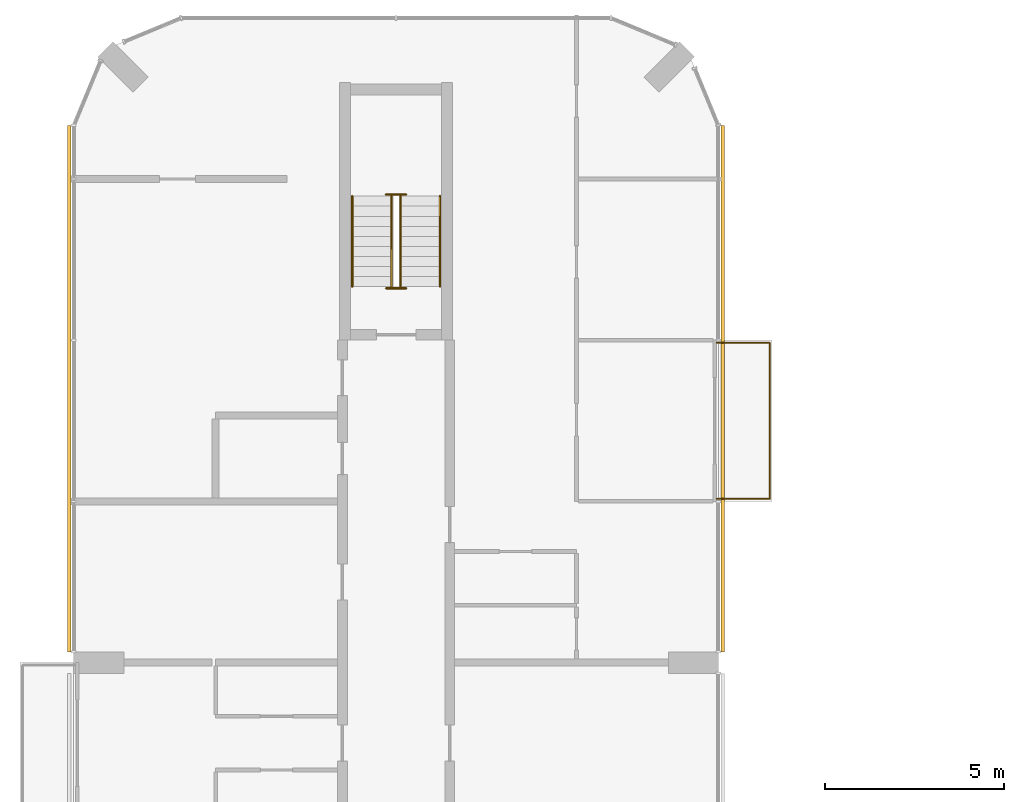
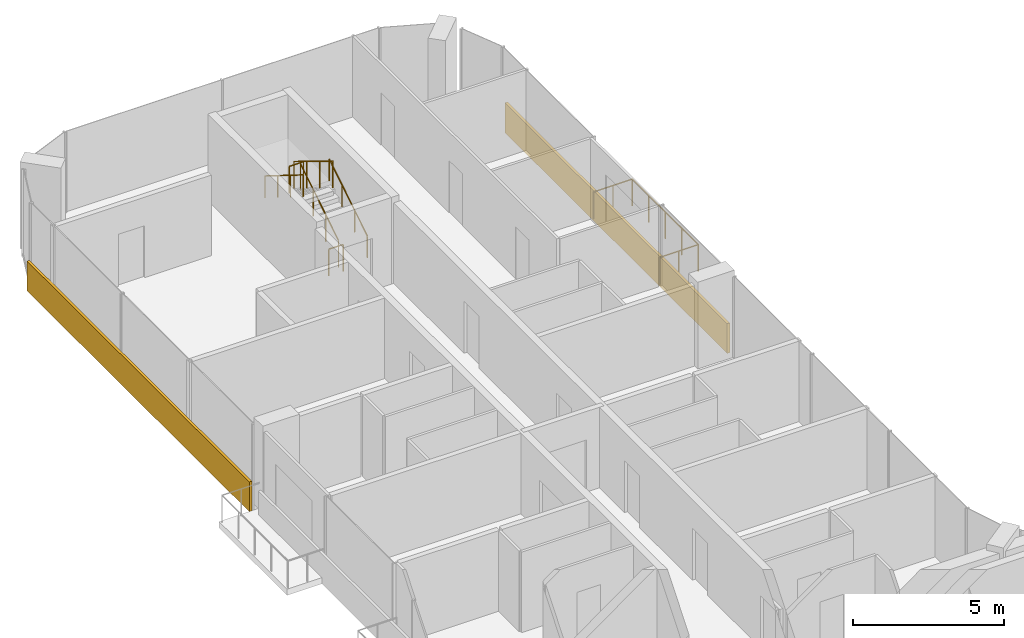
# One storey, part 16 of 16: 7 railings, 2 coverings.
"""IFC4 building model written with IfcOpenShell, lengths in metres."""

import ifcopenshell
import ifcopenshell.guid

model = None  # the IFC model being written
_history = None  # IfcOwnerHistory: only IFC2X3 demands one
_inside = {}  # id of a spatial element -> (the spatial element, [elements in it])
_under = {}  # id of a project, library or spatial element -> (it, [spatial elements below it])
_declared = {}  # id of a project -> (the project, [libraries it declares])
_typed = {}  # id of a type object -> (the type object, [elements of that type])
_made_of = {}  # id of a material, layer set ... -> (it, [elements and type objects made of it])


def new_model(schema):
    """Start an empty IFC model of exactly this schema.

    Asked for "IFC4X3", IfcOpenShell would pick the latest addendum, in which some entities
    have other attributes; the version numbers below select the first issue.
    IFC2X3 requires an IfcOwnerHistory on every rooted entity: one is made here for all.
    """
    global model, _history
    if schema == "IFC4X3":
        model = ifcopenshell.file(schema_version=(4, 3, 0, 0))
    else:
        model = ifcopenshell.file(schema=schema)
    _inside.clear()
    _under.clear()
    _declared.clear()
    _typed.clear()
    _made_of.clear()
    _history = None
    if model.schema == "IFC2X3":
        org = make("IfcOrganization", Name="unknown")
        user = make(
            "IfcPersonAndOrganization",
            ThePerson=make("IfcPerson", FamilyName="unknown"),
            TheOrganization=org,
        )
        app = make(
            "IfcApplication",
            ApplicationDeveloper=org,
            Version="unknown",
            ApplicationFullName="unknown",
            ApplicationIdentifier="unknown",
        )
        _history = make(
            "IfcOwnerHistory",
            OwningUser=user,
            OwningApplication=app,
            ChangeAction="ADDED",
            CreationDate=0,
        )
    return model


def make(cls, **values):
    """One entity of the class cls with the attributes given. An attribute that is None is left unset."""
    return model.create_entity(
        cls, **{name: value for name, value in values.items() if value is not None}
    )


def rooted(cls, **values):
    """An entity with a GlobalId (a new one), such as an element, a storey or a relation."""
    return make(cls, GlobalId=ifcopenshell.guid.new(), OwnerHistory=_history, **values)


def si_unit(unit_type, name, prefix=None):
    """IfcSIUnit, for example si_unit("LENGTHUNIT", "METRE", prefix="MILLI")."""
    return make("IfcSIUnit", UnitType=unit_type, Prefix=prefix, Name=name)


def assignment(units):
    """IfcUnitAssignment: the units of a project."""
    return None if units is None else make("IfcUnitAssignment", Units=units)


def point(xyz):
    """IfcCartesianPoint."""
    return None if xyz is None else make("IfcCartesianPoint", Coordinates=xyz)


def direction(xyz):
    """IfcDirection."""
    return None if xyz is None else make("IfcDirection", DirectionRatios=xyz)


def frame(location, z_axis=None, x_axis=None):
    """IfcAxis2Placement3D, a coordinate frame: its origin and axes. An axis left out is left unset."""
    return make(
        "IfcAxis2Placement3D",
        Location=point(location),
        Axis=direction(z_axis),
        RefDirection=direction(x_axis),
    )


def frame_2d(location, x_axis=None):
    """IfcAxis2Placement2D, a coordinate frame in the plane: its origin and x axis."""
    return make(
        "IfcAxis2Placement2D", Location=point(location), RefDirection=direction(x_axis)
    )


def origin():
    """The frame at (0, 0, 0) with its axes left unset."""
    return frame((0.0, 0.0, 0.0))


def origin_2d():
    """The frame at (0, 0) in the plane with its x axis left unset."""
    return frame_2d((0.0, 0.0))


def place(relative_to, where):
    """IfcLocalPlacement: puts the frame where relative to a parent placement (None: the world)."""
    return make(
        "IfcLocalPlacement", PlacementRelTo=relative_to, RelativePlacement=where
    )


def context(
    kind, dimensions, precision=None, world=None, true_north=None, identifier=None
):
    """IfcGeometricRepresentationContext, for example the 3D "Model" context."""
    return make(
        "IfcGeometricRepresentationContext",
        ContextIdentifier=identifier,
        ContextType=kind,
        CoordinateSpaceDimension=dimensions,
        Precision=precision,
        WorldCoordinateSystem=world,
        TrueNorth=true_north,
    )


def subcontext(parent, identifier, kind, view, scale=None):
    """IfcGeometricRepresentationSubContext, for example "Body" below "Model"."""
    return make(
        "IfcGeometricRepresentationSubContext",
        ContextIdentifier=identifier,
        ContextType=kind,
        ParentContext=parent,
        TargetScale=scale,
        TargetView=view,
    )


def project(units=None, contexts=None):
    """IfcProject with its units and contexts."""
    return rooted(
        "IfcProject",
        Name="project",
        RepresentationContexts=contexts,
        UnitsInContext=assignment(units),
    )


def spatial(cls, under=None, at=None, **own):
    """A site, building, storey or space (cls), placed at a placement, below another one or the project."""
    s = rooted(cls, ObjectPlacement=at, **own)
    if under is not None:
        _under.setdefault(under.id(), (under, []))[1].append(s)
    return s


def profile(cls, at=None, kind="AREA", **sizes):
    """A parametric profile (cls). Its sizes go by their IFC names, for example OverallWidth=200.0."""
    return make(cls, ProfileType=kind, Position=at, **sizes)


def rectangle(**sizes):
    """IfcRectangleProfileDef."""
    return profile("IfcRectangleProfileDef", **sizes)


def circle(**sizes):
    """IfcCircleProfileDef."""
    return profile("IfcCircleProfileDef", **sizes)


def extrude(swept, where, along, depth):
    """IfcExtrudedAreaSolid: the profile swept, set in the frame where, extruded along a direction by depth."""
    return make(
        "IfcExtrudedAreaSolid",
        SweptArea=swept,
        Position=where,
        ExtrudedDirection=direction(along),
        Depth=depth,
    )


def shape(context_of_items, identifier, shape_type, items):
    """IfcShapeRepresentation: the items that make up one representation, for example the "Body"."""
    return make(
        "IfcShapeRepresentation",
        ContextOfItems=context_of_items,
        RepresentationIdentifier=identifier,
        RepresentationType=shape_type,
        Items=items,
    )


def material(Name=None, Category=None):
    """IfcMaterial."""
    return make("IfcMaterial", Name=Name, Category=Category)


def layer(
    of_material, thickness, ventilated=None, Name=None, Category=None, Priority=None
):
    """IfcMaterialLayer: one layer of a wall or slab, of a material (None: an air gap)."""
    return make(
        "IfcMaterialLayer",
        Material=of_material,
        LayerThickness=thickness,
        IsVentilated=ventilated,
        Name=Name,
        Category=Category,
        Priority=Priority,
    )


def layer_set(layers, Name=None):
    """IfcMaterialLayerSet."""
    return make("IfcMaterialLayerSet", MaterialLayers=layers, LayerSetName=Name)


def made_of(thing, what):
    """Note that an element or type object is made of a material, layer set ...; save() writes the relation."""
    if what is not None:
        _made_of.setdefault(what.id(), (what, []))[1].append(thing)
    return thing


def type_object(cls, material=None, **own):
    """A type object (cls), such as IfcWallType, which elements share."""
    return made_of(rooted(cls, **own), material)


def element(
    cls,
    number,
    at=None,
    inside=None,
    cuts=None,
    type_object=None,
    material=None,
    context=None,
    identifier="Body",
    shape_type=None,
    held_by="IfcProductDefinitionShape",
    body=None,
    shapes=None,
    **own,
):
    """One element of the class cls, such as IfcWall. Its Tag is "e" and its number.

    at: its placement. inside: the storey or other place that contains it. cuts: it is an
    opening in that element (IfcRelVoidsElement). A single representation is given by context,
    identifier, shape_type and body (its items); several are given by shapes. held_by: the class
    of the entity that holds the representations. save() writes the other relations.
    """
    e = rooted(cls, Tag="e%d" % number, ObjectPlacement=at, **own)
    if body is not None:
        shapes = [shape(context, identifier, shape_type, body)]
    if shapes is not None:
        e.Representation = make(held_by, Representations=shapes)
    if inside is not None:
        _inside.setdefault(inside.id(), (inside, []))[1].append(e)
    if cuts is not None:
        rooted(
            "IfcRelVoidsElement", RelatingBuildingElement=cuts, RelatedOpeningElement=e
        )
    if type_object is not None:
        _typed.setdefault(type_object.id(), (type_object, []))[1].append(e)
    return made_of(e, material)


def aggregate(whole, parts):
    """IfcRelAggregates: a whole, such as a stair, and the parts it consists of."""
    return rooted("IfcRelAggregates", RelatingObject=whole, RelatedObjects=parts)


def save(model, path):
    """Write the relations noted so far, then the file.

    IfcRelAggregates (storeys below a building ...), IfcRelContainedInSpatialStructure (elements
    in a storey), IfcRelDefinesByType, IfcRelAssociatesMaterial and IfcRelDeclares: one each for
    every whole, place, type object, material and project.
    """
    for whole, parts in _under.values():
        aggregate(whole, parts)
    for where, things in _inside.values():
        rooted(
            "IfcRelContainedInSpatialStructure",
            RelatedElements=things,
            RelatingStructure=where,
        )
    for kind, things in _typed.values():
        rooted("IfcRelDefinesByType", RelatedObjects=things, RelatingType=kind)
    for what, things in _made_of.values():
        rooted("IfcRelAssociatesMaterial", RelatedObjects=things, RelatingMaterial=what)
    for by, libraries in _declared.values():
        rooted("IfcRelDeclares", RelatingContext=by, RelatedDefinitions=libraries)
    model.write(path)


model = new_model("IFC4")

# Units and contexts
model_context = context("Model", 3, precision=1e-05, world=origin(), true_north=direction((0.0, 1.0)))
body_context = subcontext(model_context, "Body", "Model", "MODEL_VIEW")
ifc_project = project(units=[si_unit("LENGTHUNIT", "METRE"), si_unit("AREAUNIT", "SQUARE_METRE"), si_unit("VOLUMEUNIT", "CUBIC_METRE"), si_unit("PLANEANGLEUNIT", "RADIAN"), si_unit("MASSUNIT", "GRAM", prefix="KILO")], contexts=[model_context])

# Site, building, storey
site_placement = place(None, origin())
site = spatial("IfcSite", under=ifc_project, at=site_placement, CompositionType="ELEMENT")
building_placement = place(site_placement, origin())
building = spatial("IfcBuilding", under=site, at=building_placement, Name="Plateau Cross Towers", CompositionType="ELEMENT")
storey_placement = place(building_placement, frame((0.0, 0.0, 218.89990234375)))
storey = spatial("IfcBuildingStorey", under=building, at=storey_placement, Name="L57", CompositionType="ELEMENT", Elevation=218.89990234375)

# Railings
ifc_material_1 = material(Name="Stainless steel and toughened glass", Category="steel")
railing_type_1 = type_object("IfcRailingType", Name="Glass balustrade guard 1100", PredefinedType="GUARDRAIL", material=ifc_material_1)
railing_1_placement = place(storey_placement, frame((17.949951171875, 44.929931640625, 0.0)))
element("IfcRailing", 1, at=railing_1_placement, inside=storey, type_object=railing_type_1, Name="Guard guard1", PredefinedType="GUARDRAIL", context=body_context, shape_type="SweptSolid", body=[
    extrude(circle(Radius=0.02392578125, at=origin_2d()), frame((0.0, 0.0, 1.076171875), z_axis=(1.0, 0.0, 0.0), x_axis=(0.0, 1.0, 0.0)), (0.0, 0.0, 1.0), 1.47998046875),
    extrude(circle(Radius=0.02392578125, at=origin_2d()), frame((1.47998046875, 0.0, 1.076171875), z_axis=(0.0, -1.0, 0.0), x_axis=(1.0, 0.0, 0.0)), (0.0, 0.0, 1.0), 4.35986328125),
    extrude(circle(Radius=0.02392578125, at=origin_2d()), frame((1.47998046875, -4.35986328125, 1.076171875), z_axis=(-1.0, 0.0, 0.0), x_axis=(0.0, -1.0, 0.0)), (0.0, 0.0, 1.0), 1.47998046875),
    extrude(circle(Radius=0.02099609375, at=origin_2d()), origin(), (0.0, 0.0, 1.0), 1.052001953125),
    extrude(circle(Radius=0.02099609375, at=origin_2d()), frame((0.739990234375, 0.0, 0.0)), (0.0, 0.0, 1.0), 1.052001953125),
    extrude(circle(Radius=0.02099609375, at=origin_2d()), frame((1.47998046875, 0.0, 0.0)), (0.0, 0.0, 1.0), 1.052001953125),
    extrude(circle(Radius=0.02099609375, at=origin_2d()), frame((1.47998046875, -1.08984375, 0.0)), (0.0, 0.0, 1.0), 1.052001953125),
    extrude(circle(Radius=0.02099609375, at=origin_2d()), frame((1.47998046875, -2.179931640625, 0.0)), (0.0, 0.0, 1.0), 1.052001953125),
    extrude(circle(Radius=0.02099609375, at=origin_2d()), frame((1.47998046875, -3.27001953125, 0.0)), (0.0, 0.0, 1.0), 1.052001953125),
    extrude(circle(Radius=0.02099609375, at=origin_2d()), frame((1.47998046875, -4.35986328125, 0.0)), (0.0, 0.0, 1.0), 1.052001953125),
    extrude(circle(Radius=0.02099609375, at=origin_2d()), frame((0.739990234375, -4.35986328125, 0.0)), (0.0, 0.0, 1.0), 1.052001953125),
    extrude(circle(Radius=0.02099609375, at=origin_2d()), frame((0.0, -4.35986328125, 0.0)), (0.0, 0.0, 1.0), 1.052001953125),
])
railing_type_2 = type_object("IfcRailingType", Name="RL-GUARD-1100", PredefinedType="GUARDRAIL", material=ifc_material_1)
railing_2_placement = place(storey_placement, frame((9.125, 46.5, 0.175048828125)))
element("IfcRailing", 2, at=railing_2_placement, inside=storey, type_object=railing_type_2, Name="L57 ES-N stair guard 1", PredefinedType="GUARDRAIL", context=body_context, shape_type="SweptSolid", body=[
    extrude(circle(Radius=0.02392578125, at=origin_2d()), frame((0.0, 0.0, 1.076171875), z_axis=(0.0, 0.848007534815, 0.529984170421), x_axis=(-1.0, 0.0, 0.0)), (0.0, 0.0, 1.0), 2.9716796875),
    extrude(circle(Radius=0.02099609375, at=origin_2d()), origin(), (0.0, 0.0, 1.0), 1.052001953125),
    extrude(circle(Radius=0.02099609375, at=origin_2d()), frame((0.0, 0.840087890625, 0.52490234375)), (0.0, 0.0, 1.0), 1.052001953125),
    extrude(circle(Radius=0.02099609375, at=origin_2d()), frame((0.0, 1.679931640625, 1.050048828125)), (0.0, 0.0, 1.0), 1.052001953125),
    extrude(circle(Radius=0.02099609375, at=origin_2d()), frame((0.0, 2.52001953125, 1.574951171875)), (0.0, 0.0, 1.0), 1.052001953125),
])
railing_3_placement = place(storey_placement, frame((9.27490234375, 49.070068359375, 1.75)))
element("IfcRailing", 3, at=railing_3_placement, inside=storey, type_object=railing_type_2, Name="L57 ES-N stair guard 2", PredefinedType="GUARDRAIL", context=body_context, shape_type="SweptSolid", body=[
    extrude(circle(Radius=0.02392578125, at=origin_2d()), frame((0.0, 0.0, 1.076171875), z_axis=(-1.0, 0.0, 0.0), x_axis=(0.0, -1.0, 0.0)), (0.0, 0.0, 1.0), 0.5498046875),
    extrude(circle(Radius=0.02099609375, at=origin_2d()), origin(), (0.0, 0.0, 1.0), 1.052001953125),
    extrude(circle(Radius=0.02099609375, at=origin_2d()), frame((-0.5498046875, 0.0, 0.0)), (0.0, 0.0, 1.0), 1.052001953125),
])
railing_4_placement = place(storey_placement, frame((8.875, 49.02001953125, 1.925048828125)))
element("IfcRailing", 4, at=railing_4_placement, inside=storey, type_object=railing_type_2, Name="L57 ES-N stair guard 3", PredefinedType="GUARDRAIL", context=body_context, shape_type="SweptSolid", body=[
    extrude(circle(Radius=0.02392578125, at=origin_2d()), frame((0.0, 0.0, 1.076171875), z_axis=(0.0, -0.852638500773, 0.522501279423), x_axis=(1.0, 0.0, 0.0)), (0.0, 0.0, 1.0), 3.01416015625),
    extrude(circle(Radius=0.02099609375, at=origin_2d()), origin(), (0.0, 0.0, 1.0), 1.052001953125),
    extrude(circle(Radius=0.02099609375, at=origin_2d()), frame((0.0, -0.856689453125, 0.52490234375)), (0.0, 0.0, 1.0), 1.052001953125),
    extrude(circle(Radius=0.02099609375, at=origin_2d()), frame((0.0, -1.71337890625, 1.050048828125)), (0.0, 0.0, 1.0), 1.052001953125),
    extrude(circle(Radius=0.02099609375, at=origin_2d()), frame((0.0, -2.570068359375, 1.574951171875)), (0.0, 0.0, 1.0), 1.052001953125),
])
railing_5_placement = place(storey_placement, frame((9.27490234375, 46.449951171875, 0.0)))
element("IfcRailing", 5, at=railing_5_placement, inside=storey, type_object=railing_type_2, Name="L57 ES-N stair guard 4", PredefinedType="GUARDRAIL", context=body_context, shape_type="SweptSolid", body=[
    extrude(circle(Radius=0.02392578125, at=origin_2d()), frame((0.0, 0.0, 1.076171875), z_axis=(-1.0, 0.0, 0.0), x_axis=(0.0, -1.0, 0.0)), (0.0, 0.0, 1.0), 0.5498046875),
    extrude(circle(Radius=0.02099609375, at=origin_2d()), origin(), (0.0, 0.0, 1.0), 1.052001953125),
    extrude(circle(Radius=0.02099609375, at=origin_2d()), frame((-0.5498046875, 0.0, 0.0)), (0.0, 0.0, 1.0), 1.052001953125),
])
ifc_material_2 = material(Name="Black anodised aluminium", Category="aluminium")
railing_type_3 = type_object("IfcRailingType", Name="RL-HANDRAIL-900", PredefinedType="HANDRAIL", material=ifc_material_2)
railing_6_placement = place(storey_placement, frame((10.22509765625, 46.5, 0.175048828125)))
element("IfcRailing", 6, at=railing_6_placement, inside=storey, type_object=railing_type_3, Name="L57 ES-N stair handrail 1", PredefinedType="HANDRAIL", context=body_context, shape_type="SweptSolid", body=[
    extrude(circle(Radius=0.02392578125, at=origin_2d()), frame((0.0, 0.0, 0.8759765625), z_axis=(0.0, 0.848007534815, 0.529984170421), x_axis=(-1.0, 0.0, 0.0)), (0.0, 0.0, 1.0), 2.9716796875),
    extrude(circle(Radius=0.02099609375, at=origin_2d()), origin(), (0.0, 0.0, 1.0), 0.851806640625),
    extrude(circle(Radius=0.02099609375, at=origin_2d()), frame((0.0, 0.840087890625, 0.52490234375)), (0.0, 0.0, 1.0), 0.851806640625),
    extrude(circle(Radius=0.02099609375, at=origin_2d()), frame((0.0, 1.679931640625, 1.050048828125)), (0.0, 0.0, 1.0), 0.851806640625),
    extrude(circle(Radius=0.02099609375, at=origin_2d()), frame((0.0, 2.52001953125, 1.574951171875)), (0.0, 0.0, 1.0), 0.851806640625),
])
railing_7_placement = place(storey_placement, frame((7.77490234375, 49.02001953125, 1.925048828125)))
element("IfcRailing", 7, at=railing_7_placement, inside=storey, type_object=railing_type_3, Name="L57 ES-N stair handrail 2", PredefinedType="HANDRAIL", context=body_context, shape_type="SweptSolid", body=[
    extrude(circle(Radius=0.02392578125, at=origin_2d()), frame((0.0, 0.0, 0.8759765625), z_axis=(0.0, -0.848007534815, 0.529984170421), x_axis=(1.0, 0.0, 0.0)), (0.0, 0.0, 1.0), 2.9716796875),
    extrude(circle(Radius=0.02099609375, at=origin_2d()), origin(), (0.0, 0.0, 1.0), 0.851806640625),
    extrude(circle(Radius=0.02099609375, at=origin_2d()), frame((0.0, -0.840087890625, 0.52490234375)), (0.0, 0.0, 1.0), 0.851806640625),
    extrude(circle(Radius=0.02099609375, at=origin_2d()), frame((0.0, -1.679931640625, 1.050048828125)), (0.0, 0.0, 1.0), 0.851806640625),
    extrude(circle(Radius=0.02099609375, at=origin_2d()), frame((0.0, -2.52001953125, 1.574951171875)), (0.0, 0.0, 1.0), 0.851806640625),
])

# Coverings
ifc_material_3 = material(Name="Precast concrete cladding C40/50", Category="concrete")
ifc_layer = layer(ifc_material_3, 0.10009765625)
ifc_layer_set = layer_set([ifc_layer], Name="Precast concrete cladding C40/50")
covering_type = type_object("IfcCoveringType", Name="Spandrel band cladding 100x1200", PredefinedType="CLADDING", material=ifc_layer_set)
for number, where, z_axis, x_axis, name in (
    (8, (18.1201171875, 43.64990234375, -0.25), (0.0, 0.0, 1.0), (0.0, 1.0, 0.0), "Spandrel band"),
    (9, (-0.1201171875, 43.64990234375, -0.25), (0.0, 0.0, 1.0), (0.0, -1.0, 0.0), "Spandrel band"),
):
    element("IfcCovering", number, at=place(storey_placement, frame(where, z_axis=z_axis, x_axis=x_axis)), inside=storey, type_object=covering_type, Name=name, PredefinedType="CLADDING", context=body_context, shape_type="SweptSolid", body=[
        extrude(rectangle(XDim=14.699951171875, YDim=0.10009765625, at=origin_2d()), origin(), (0.0, 0.0, 1.0), 1.199951171875),
    ])

save(model, "model.ifc")
